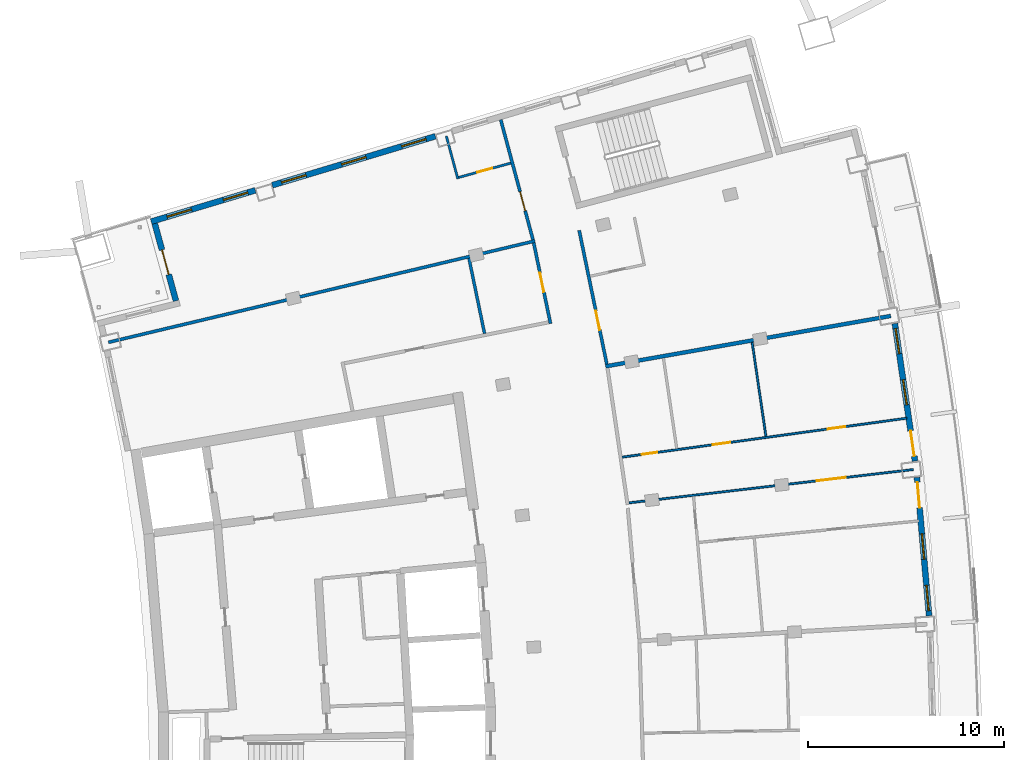
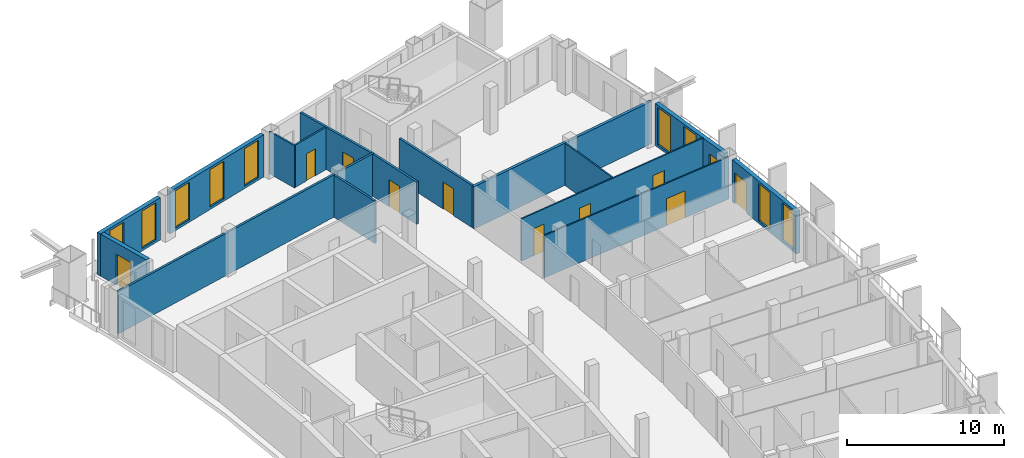
# One storey, part 10 of 15: 16 walls, 11 doors, 9 windows, 20 openings.
"""IFC4 building model written with IfcOpenShell, lengths in metres."""

from ifc_helpers import new_model, si_unit, direction, frame, frame_2d, origin, place, context, subcontext, project, spatial, rectangle, extrude, material, layer, layer_set, type_object, element, fill, save


model = new_model("IFC4")

# Units and contexts
model_context = context("Model", 3, precision=1e-05, world=origin(), true_north=direction((0.0, 1.0)))
body_context = subcontext(model_context, "Body", "Model", "MODEL_VIEW")
ifc_project = project(units=[si_unit("LENGTHUNIT", "METRE"), si_unit("AREAUNIT", "SQUARE_METRE"), si_unit("VOLUMEUNIT", "CUBIC_METRE"), si_unit("PLANEANGLEUNIT", "RADIAN"), si_unit("MASSUNIT", "GRAM", prefix="KILO")], contexts=[model_context])

# Site, building, storey
site_placement = place(None, origin())
site = spatial("IfcSite", under=ifc_project, at=site_placement, CompositionType="ELEMENT")
building_placement = place(site_placement, origin())
building = spatial("IfcBuilding", under=site, at=building_placement, Name="Alderwake Tower", CompositionType="ELEMENT")
storey_placement = place(building_placement, frame((0.0, 0.0, 285.199951171875)))
storey = spatial("IfcBuildingStorey", under=building, at=storey_placement, Name="L71", CompositionType="ELEMENT", Elevation=285.199951171875)

# Wall
ifc_material_1 = material(Name="Gypsum board on metal studs, rated")
ifc_layer_1 = layer(ifc_material_1, 0.159912109375)
ifc_layer_set_1 = layer_set([ifc_layer_1], Name="Corridor wall 160")
wall_type_1 = type_object("IfcWallType", Name="Corridor wall 160", PredefinedType="PARTITIONING", material=ifc_layer_set_1)
wall_1_placement = place(storey_placement, frame((13.884033203125, 83.31298828125, 0.0), z_axis=(0.0, 0.0, 1.0), x_axis=(0.972893462073, 0.231253781493, 0.0)))
element("IfcWall", 1, at=wall_1_placement, inside=storey, type_object=wall_type_1, Name="WL/L71/W09", PredefinedType="PARTITIONING", context=body_context, shape_type="SweptSolid", body=[
    extrude(rectangle(XDim=22.38037109375, YDim=0.159912109375, at=frame_2d((11.190185546875, 0.0))), origin(), (0.0, 0.0, 1.0), 3.280029296875),
])

# Wall, opening, door
wall_2_placement = place(storey_placement, frame((35.55908203125, 88.54736328125, 0.0), z_axis=(0.0, 0.0, 1.0), x_axis=(-0.259486497004, 0.965746735885, 0.0)))
wall_2 = element("IfcWall", 2, at=wall_2_placement, inside=storey, type_object=wall_type_1, Name="WL/L71/W13", PredefinedType="PARTITIONING", context=body_context, shape_type="SweptSolid", body=[
    extrude(rectangle(XDim=6.346923828125, YDim=0.159912109375, at=frame_2d((3.17333984375, 0.0))), origin(), (0.0, 0.0, 1.0), 3.280029296875),
])
opening_1_placement = place(wall_2_placement, frame((1.5380859375, 0.0, 0.0)))
opening_1 = element("IfcOpeningElement", 3, at=opening_1_placement, cuts=wall_2, Name="Opening R20-U09.1", PredefinedType="OPENING", context=body_context, shape_type="SweptSolid", body=[
    extrude(rectangle(XDim=1.0, YDim=2.10009765625, at=frame_2d((0.5, 1.050048828125))), frame((0.0, 0.08984375, 0.0), z_axis=(0.0, -1.0, 0.0), x_axis=(1.0, 0.0, 0.0)), (0.0, 0.0, 1.0), 0.179931640625),
])
ifc_material_2 = material(Name="Solid timber leaf in steel frame", Category="steel")
door_type_1 = type_object("IfcDoorType", Name="Flat entrance door 1000 fire-rated", OperationType="SINGLE_SWING_LEFT", PredefinedType="DOOR", material=ifc_material_2)
door_1_placement = place(opening_1_placement, origin())
door_1 = element("IfcDoor", 4, at=door_1_placement, inside=storey, type_object=door_type_1, Name="DR/L71/U09.1", OperationType="SINGLE_SWING_LEFT", OverallHeight=2.10009765625, OverallWidth=1.0, PredefinedType="DOOR", context=body_context, shape_type="SweptSolid", body=[
    extrude(rectangle(XDim=1.0, YDim=2.10009765625, at=frame_2d((0.5, 1.050048828125))), frame((0.0, 0.02490234375, 0.0), z_axis=(0.0, -1.0, 0.0), x_axis=(1.0, 0.0, 0.0)), (0.0, 0.0, 1.0), 0.050048828125),
])
fill(opening_1, door_1)

wall_3_placement = place(storey_placement, frame((36.451416015625, 84.272705078125, 0.0), z_axis=(0.0, 0.0, 1.0), x_axis=(-0.20329833965, 0.979116839348, 0.0)))
wall_3 = element("IfcWall", 5, at=wall_3_placement, inside=storey, type_object=wall_type_1, Name="WL/L71/W15", PredefinedType="PARTITIONING", context=body_context, shape_type="SweptSolid", body=[
    extrude(rectangle(XDim=4.206787109375, YDim=0.159912109375, at=frame_2d((2.103515625, 0.0))), origin(), (0.0, 0.0, 1.0), 3.280029296875),
])
opening_2_placement = place(wall_3_placement, frame((1.642822265625, 0.0, 0.0)))
opening_2 = element("IfcOpeningElement", 6, at=opening_2_placement, cuts=wall_3, Name="Opening R20-SBN2", PredefinedType="OPENING", context=body_context, shape_type="SweptSolid", body=[
    extrude(rectangle(XDim=1.0, YDim=2.10009765625, at=frame_2d((0.5, 1.050048828125))), frame((0.0, 0.08984375, 0.0), z_axis=(0.0, -1.0, 0.0), x_axis=(1.0, 0.0, 0.0)), (0.0, 0.0, 1.0), 0.179931640625),
])
ifc_material_3 = material(Name="Steel-framed fire door leaf", Category="steel")
door_type_2 = type_object("IfcDoorType", Name="Plant room door 1000 fire-rated", OperationType="SINGLE_SWING_LEFT", PredefinedType="DOOR", material=ifc_material_3)
door_2_placement = place(opening_2_placement, origin())
door_2 = element("IfcDoor", 7, at=door_2_placement, inside=storey, type_object=door_type_2, Name="DR/L71/SBN2", OperationType="SINGLE_SWING_LEFT", OverallHeight=2.10009765625, OverallWidth=1.0, PredefinedType="DOOR", context=body_context, shape_type="SweptSolid", body=[
    extrude(rectangle(XDim=1.0, YDim=2.10009765625, at=frame_2d((0.5, 1.050048828125))), frame((0.0, 0.02490234375, 0.0), z_axis=(0.0, -1.0, 0.0), x_axis=(1.0, 0.0, 0.0)), (0.0, 0.0, 1.0), 0.050048828125),
])
fill(opening_2, door_2)

wall_4_placement = place(storey_placement, frame((37.9169921875, 89.02490234375, 0.0), z_axis=(0.0, 0.0, 1.0), x_axis=(0.202416809878, -0.97929946139, 0.0)))
wall_4 = element("IfcWall", 8, at=wall_4_placement, inside=storey, type_object=wall_type_1, Name="WL/L71/W20", PredefinedType="PARTITIONING", context=body_context, shape_type="SweptSolid", body=[
    extrude(rectangle(XDim=6.97021484375, YDim=0.159912109375, at=frame_2d((3.485107421875, 0.0))), origin(), (0.0, 0.0, 1.0), 3.280029296875),
])
opening_3_placement = place(wall_4_placement, frame((4.187255859375, 0.0, 0.0)))
opening_3 = element("IfcOpeningElement", 9, at=opening_3_placement, cuts=wall_4, Name="Opening R20-U07.1", PredefinedType="OPENING", context=body_context, shape_type="SweptSolid", body=[
    extrude(rectangle(XDim=1.0, YDim=2.10009765625, at=frame_2d((0.5, 1.050048828125))), frame((0.0, 0.08984375, 0.0), z_axis=(0.0, -1.0, 0.0), x_axis=(1.0, 0.0, 0.0)), (0.0, 0.0, 1.0), 0.179931640625),
])
door_3_placement = place(opening_3_placement, origin())
door_3 = element("IfcDoor", 10, at=door_3_placement, inside=storey, type_object=door_type_1, Name="DR/L71/U07.1", OperationType="SINGLE_SWING_LEFT", OverallHeight=2.10009765625, OverallWidth=1.0, PredefinedType="DOOR", context=body_context, shape_type="SweptSolid", body=[
    extrude(rectangle(XDim=1.0, YDim=2.10009765625, at=frame_2d((0.5, 1.050048828125))), frame((0.0, 0.02490234375, 0.0), z_axis=(0.0, -1.0, 0.0), x_axis=(1.0, 0.0, 0.0)), (0.0, 0.0, 1.0), 0.050048828125),
])
fill(opening_3, door_3)

# Wall, openings, door, windows
ifc_material_4 = material(Name="Precast concrete C50/60 spandrel panel", Category="concrete")
ifc_layer_2 = layer(ifc_material_4, 0.300048828125)
ifc_layer_set_2 = layer_set([ifc_layer_2], Name="External wall EW1 Precast concrete C50/60 spandrel")
wall_type_2 = type_object("IfcWallType", Name="External wall EW1 Precast concrete C50/60 spandrel", PredefinedType="SOLIDWALL", material=ifc_layer_set_2)
wall_5_placement = place(storey_placement, frame((55.78173828125, 69.351806640625, 0.0), z_axis=(0.0, 0.0, 1.0), x_axis=(-0.087372360108, 0.996175722796, 0.0)))
wall_5 = element("IfcWall", 11, at=wall_5_placement, inside=storey, type_object=wall_type_2, Name="External wall 17", PredefinedType="SOLIDWALL", context=body_context, shape_type="SweptSolid", body=[
    extrude(rectangle(XDim=7.091796875, YDim=0.300048828125, at=frame_2d((3.5458984375, 0.0))), origin(), (0.0, 0.0, 1.0), 3.280029296875),
])
opening_4_placement = place(wall_5_placement, frame((0.255615234375, 0.0, 0.199951171875)))
opening_4 = element("IfcOpeningElement", 12, at=opening_4_placement, cuts=wall_5, Name="Opening W1", PredefinedType="OPENING", context=body_context, shape_type="SweptSolid", body=[
    extrude(rectangle(XDim=1.300048828125, YDim=2.89990234375, at=frame_2d((0.64990234375, 1.449951171875))), frame((0.0, 0.159912109375, 0.0), z_axis=(0.0, -1.0, 0.0), x_axis=(1.0, 0.0, 0.0)), (0.0, 0.0, 1.0), 0.320068359375),
])
opening_5_placement = place(wall_5_placement, frame((2.895751953125, 0.0, 0.199951171875)))
opening_5 = element("IfcOpeningElement", 13, at=opening_5_placement, cuts=wall_5, Name="Opening W1", PredefinedType="OPENING", context=body_context, shape_type="SweptSolid", body=[
    extrude(rectangle(XDim=1.300048828125, YDim=2.89990234375, at=frame_2d((0.64990234375, 1.449951171875))), frame((0.0, 0.159912109375, 0.0), z_axis=(0.0, -1.0, 0.0), x_axis=(1.0, 0.0, 0.0)), (0.0, 0.0, 1.0), 0.320068359375),
])
opening_6_placement = place(wall_5_placement, frame((5.535888671875, 0.0, 0.0)))
opening_6 = element("IfcOpeningElement", 14, at=opening_6_placement, cuts=wall_5, Name="Opening D06", PredefinedType="OPENING", context=body_context, shape_type="SweptSolid", body=[
    extrude(rectangle(XDim=1.300048828125, YDim=2.39990234375, at=frame_2d((0.64990234375, 1.199951171875))), frame((0.0, 0.159912109375, 0.0), z_axis=(0.0, -1.0, 0.0), x_axis=(1.0, 0.0, 0.0)), (0.0, 0.0, 1.0), 0.320068359375),
])
ifc_material_5 = material(Name="Bronze tinted glass in aluminium frame", Category="aluminium")
door_type_3 = type_object("IfcDoorType", Name="Balcony door BD sliding", OperationType="SLIDING_TO_LEFT", PredefinedType="DOOR", material=ifc_material_5)
door_4_placement = place(opening_6_placement, origin())
door_4 = element("IfcDoor", 15, at=door_4_placement, inside=storey, type_object=door_type_3, Name="Door D06", OperationType="SLIDING_TO_LEFT", OverallHeight=2.39990234375, OverallWidth=1.300048828125, PredefinedType="DOOR", context=body_context, shape_type="SweptSolid", body=[
    extrude(rectangle(XDim=1.300048828125, YDim=2.39990234375, at=frame_2d((0.64990234375, 1.199951171875))), frame((0.0, 0.02490234375, 0.0), z_axis=(0.0, -1.0, 0.0), x_axis=(1.0, 0.0, 0.0)), (0.0, 0.0, 1.0), 0.050048828125),
])
fill(opening_6, door_4)
ifc_material_6 = material(Name="Bronze tinted glass in aluminium frame", Category="aluminium")
window_type = type_object("IfcWindowType", Name="Window W1 tall fixed and vent", PartitioningType="DOUBLE_PANEL_VERTICAL", PredefinedType="WINDOW", material=ifc_material_6)
window_1_placement = place(opening_4_placement, origin())
window_1 = element("IfcWindow", 16, at=window_1_placement, inside=storey, type_object=window_type, Name="Window W1 tall fixed and vent", OverallHeight=2.89990234375, OverallWidth=1.300048828125, PartitioningType="DOUBLE_PANEL_VERTICAL", PredefinedType="WINDOW", context=body_context, shape_type="SweptSolid", body=[
    extrude(rectangle(XDim=1.300048828125, YDim=2.89990234375, at=frame_2d((0.64990234375, 1.449951171875))), frame((0.0, 0.030029296875, 0.0), z_axis=(0.0, -1.0, 0.0), x_axis=(1.0, 0.0, 0.0)), (0.0, 0.0, 1.0), 0.06005859375),
])
fill(opening_4, window_1)
window_2_placement = place(opening_5_placement, origin())
window_2 = element("IfcWindow", 17, at=window_2_placement, inside=storey, type_object=window_type, Name="Window W1 tall fixed and vent", OverallHeight=2.89990234375, OverallWidth=1.300048828125, PartitioningType="DOUBLE_PANEL_VERTICAL", PredefinedType="WINDOW", context=body_context, shape_type="SweptSolid", body=[
    extrude(rectangle(XDim=1.300048828125, YDim=2.89990234375, at=frame_2d((0.64990234375, 1.449951171875))), frame((0.0, 0.030029296875, 0.0), z_axis=(0.0, -1.0, 0.0), x_axis=(1.0, 0.0, 0.0)), (0.0, 0.0, 1.0), 0.06005859375),
])
fill(opening_5, window_2)

wall_6_placement = place(storey_placement, frame((55.063720703125, 77.253662109375, 0.0), z_axis=(0.0, 0.0, 1.0), x_axis=(-0.145309647342, 0.989386227107, 0.0)))
wall_6 = element("IfcWall", 18, at=wall_6_placement, inside=storey, type_object=wall_type_2, Name="External wall 18", PredefinedType="SOLIDWALL", context=body_context, shape_type="SweptSolid", body=[
    extrude(rectangle(XDim=7.091796875, YDim=0.300048828125, at=frame_2d((3.5458984375, 0.0))), origin(), (0.0, 0.0, 1.0), 3.280029296875),
])
opening_7_placement = place(wall_6_placement, frame((0.255615234375, 0.0, 0.0)))
opening_7 = element("IfcOpeningElement", 19, at=opening_7_placement, cuts=wall_6, Name="Opening D07", PredefinedType="OPENING", context=body_context, shape_type="SweptSolid", body=[
    extrude(rectangle(XDim=1.300048828125, YDim=2.39990234375, at=frame_2d((0.64990234375, 1.199951171875))), frame((0.0, 0.159912109375, 0.0), z_axis=(0.0, -1.0, 0.0), x_axis=(1.0, 0.0, 0.0)), (0.0, 0.0, 1.0), 0.320068359375),
])
opening_8_placement = place(wall_6_placement, frame((2.89599609375, 0.0, 0.199951171875)))
opening_8 = element("IfcOpeningElement", 20, at=opening_8_placement, cuts=wall_6, Name="Opening W1", PredefinedType="OPENING", context=body_context, shape_type="SweptSolid", body=[
    extrude(rectangle(XDim=1.300048828125, YDim=2.89990234375, at=frame_2d((0.64990234375, 1.449951171875))), frame((0.0, 0.159912109375, 0.0), z_axis=(0.0, -1.0, 0.0), x_axis=(1.0, 0.0, 0.0)), (0.0, 0.0, 1.0), 0.320068359375),
])
opening_9_placement = place(wall_6_placement, frame((5.5361328125, 0.0, 0.199951171875)))
opening_9 = element("IfcOpeningElement", 21, at=opening_9_placement, cuts=wall_6, Name="Opening W1", PredefinedType="OPENING", context=body_context, shape_type="SweptSolid", body=[
    extrude(rectangle(XDim=1.300048828125, YDim=2.89990234375, at=frame_2d((0.64990234375, 1.449951171875))), frame((0.0, 0.159912109375, 0.0), z_axis=(0.0, -1.0, 0.0), x_axis=(1.0, 0.0, 0.0)), (0.0, 0.0, 1.0), 0.320068359375),
])
door_5_placement = place(opening_7_placement, origin())
door_5 = element("IfcDoor", 22, at=door_5_placement, inside=storey, type_object=door_type_3, Name="Door D07", OperationType="SLIDING_TO_LEFT", OverallHeight=2.39990234375, OverallWidth=1.300048828125, PredefinedType="DOOR", context=body_context, shape_type="SweptSolid", body=[
    extrude(rectangle(XDim=1.300048828125, YDim=2.39990234375, at=frame_2d((0.64990234375, 1.199951171875))), frame((0.0, 0.02490234375, 0.0), z_axis=(0.0, -1.0, 0.0), x_axis=(1.0, 0.0, 0.0)), (0.0, 0.0, 1.0), 0.050048828125),
])
fill(opening_7, door_5)
window_3_placement = place(opening_8_placement, origin())
window_3 = element("IfcWindow", 23, at=window_3_placement, inside=storey, type_object=window_type, Name="Window W1 tall fixed and vent", OverallHeight=2.89990234375, OverallWidth=1.300048828125, PartitioningType="DOUBLE_PANEL_VERTICAL", PredefinedType="WINDOW", context=body_context, shape_type="SweptSolid", body=[
    extrude(rectangle(XDim=1.300048828125, YDim=2.89990234375, at=frame_2d((0.64990234375, 1.449951171875))), frame((0.0, 0.030029296875, 0.0), z_axis=(0.0, -1.0, 0.0), x_axis=(1.0, 0.0, 0.0)), (0.0, 0.0, 1.0), 0.06005859375),
])
fill(opening_8, window_3)
window_4_placement = place(opening_9_placement, origin())
window_4 = element("IfcWindow", 24, at=window_4_placement, inside=storey, type_object=window_type, Name="Window W1 tall fixed and vent", OverallHeight=2.89990234375, OverallWidth=1.300048828125, PartitioningType="DOUBLE_PANEL_VERTICAL", PredefinedType="WINDOW", context=body_context, shape_type="SweptSolid", body=[
    extrude(rectangle(XDim=1.300048828125, YDim=2.89990234375, at=frame_2d((0.64990234375, 1.449951171875))), frame((0.0, 0.030029296875, 0.0), z_axis=(0.0, -1.0, 0.0), x_axis=(1.0, 0.0, 0.0)), (0.0, 0.0, 1.0), 0.06005859375),
])
fill(opening_9, window_4)

# Wall, openings, windows
ifc_material_7 = material(Name="Bronze metal cladding on lightweight framing")
ifc_layer_3 = layer(ifc_material_7, 0.300048828125)
ifc_layer_set_3 = layer_set([ifc_layer_3], Name="External wall EW2 bronze metal cladding")
wall_type_3 = type_object("IfcWallType", Name="External wall EW2 bronze metal cladding", PredefinedType="SOLIDWALL", material=ifc_layer_set_3)
wall_7_placement = place(storey_placement, frame((30.57568359375, 93.83251953125, 0.0), z_axis=(0.0, 0.0, 1.0), x_axis=(-0.957762902908, -0.287559075345, 0.0)))
wall_7 = element("IfcWall", 25, at=wall_7_placement, inside=storey, type_object=wall_type_3, Name="External wall 26", PredefinedType="SOLIDWALL", context=body_context, shape_type="SweptSolid", body=[
    extrude(rectangle(XDim=8.696533203125, YDim=0.300048828125, at=frame_2d((4.34814453125, 0.0))), origin(), (0.0, 0.0, 1.0), 3.280029296875),
])
opening_10_placement = place(wall_7_placement, frame((0.498291015625, 0.0, 0.199951171875)))
opening_10 = element("IfcOpeningElement", 26, at=opening_10_placement, cuts=wall_7, Name="Opening W1", PredefinedType="OPENING", context=body_context, shape_type="SweptSolid", body=[
    extrude(rectangle(XDim=1.300048828125, YDim=2.89990234375, at=frame_2d((0.64990234375, 1.449951171875))), frame((0.0, 0.159912109375, 0.0), z_axis=(0.0, -1.0, 0.0), x_axis=(1.0, 0.0, 0.0)), (0.0, 0.0, 1.0), 0.320068359375),
])
opening_11_placement = place(wall_7_placement, frame((3.6982421875, 0.0, 0.199951171875)))
opening_11 = element("IfcOpeningElement", 27, at=opening_11_placement, cuts=wall_7, Name="Opening W1", PredefinedType="OPENING", context=body_context, shape_type="SweptSolid", body=[
    extrude(rectangle(XDim=1.300048828125, YDim=2.89990234375, at=frame_2d((0.64990234375, 1.449951171875))), frame((0.0, 0.159912109375, 0.0), z_axis=(0.0, -1.0, 0.0), x_axis=(1.0, 0.0, 0.0)), (0.0, 0.0, 1.0), 0.320068359375),
])
opening_12_placement = place(wall_7_placement, frame((6.898193359375, 0.0, 0.199951171875)))
opening_12 = element("IfcOpeningElement", 28, at=opening_12_placement, cuts=wall_7, Name="Opening W1", PredefinedType="OPENING", context=body_context, shape_type="SweptSolid", body=[
    extrude(rectangle(XDim=1.300048828125, YDim=2.89990234375, at=frame_2d((0.64990234375, 1.449951171875))), frame((0.0, 0.159912109375, 0.0), z_axis=(0.0, -1.0, 0.0), x_axis=(1.0, 0.0, 0.0)), (0.0, 0.0, 1.0), 0.320068359375),
])
window_5_placement = place(opening_10_placement, origin())
window_5 = element("IfcWindow", 29, at=window_5_placement, inside=storey, type_object=window_type, Name="Window W1 tall fixed and vent", OverallHeight=2.89990234375, OverallWidth=1.300048828125, PartitioningType="DOUBLE_PANEL_VERTICAL", PredefinedType="WINDOW", context=body_context, shape_type="SweptSolid", body=[
    extrude(rectangle(XDim=1.300048828125, YDim=2.89990234375, at=frame_2d((0.64990234375, 1.449951171875))), frame((0.0, 0.030029296875, 0.0), z_axis=(0.0, -1.0, 0.0), x_axis=(1.0, 0.0, 0.0)), (0.0, 0.0, 1.0), 0.06005859375),
])
fill(opening_10, window_5)
window_6_placement = place(opening_11_placement, origin())
window_6 = element("IfcWindow", 30, at=window_6_placement, inside=storey, type_object=window_type, Name="Window W1 tall fixed and vent", OverallHeight=2.89990234375, OverallWidth=1.300048828125, PartitioningType="DOUBLE_PANEL_VERTICAL", PredefinedType="WINDOW", context=body_context, shape_type="SweptSolid", body=[
    extrude(rectangle(XDim=1.300048828125, YDim=2.89990234375, at=frame_2d((0.64990234375, 1.449951171875))), frame((0.0, 0.030029296875, 0.0), z_axis=(0.0, -1.0, 0.0), x_axis=(1.0, 0.0, 0.0)), (0.0, 0.0, 1.0), 0.06005859375),
])
fill(opening_11, window_6)
window_7_placement = place(opening_12_placement, origin())
window_7 = element("IfcWindow", 31, at=window_7_placement, inside=storey, type_object=window_type, Name="Window W1 tall fixed and vent", OverallHeight=2.89990234375, OverallWidth=1.300048828125, PartitioningType="DOUBLE_PANEL_VERTICAL", PredefinedType="WINDOW", context=body_context, shape_type="SweptSolid", body=[
    extrude(rectangle(XDim=1.300048828125, YDim=2.89990234375, at=frame_2d((0.64990234375, 1.449951171875))), frame((0.0, 0.030029296875, 0.0), z_axis=(0.0, -1.0, 0.0), x_axis=(1.0, 0.0, 0.0)), (0.0, 0.0, 1.0), 0.06005859375),
])
fill(opening_12, window_7)

wall_8_placement = place(storey_placement, frame((21.380859375, 91.072021484375, 0.0), z_axis=(0.0, 0.0, 1.0), x_axis=(-0.957769358194, -0.287537574074, 0.0)))
wall_8 = element("IfcWall", 32, at=wall_8_placement, inside=storey, type_object=wall_type_3, Name="External wall 27", PredefinedType="SOLIDWALL", context=body_context, shape_type="SweptSolid", body=[
    extrude(rectangle(XDim=5.549560546875, YDim=0.300048828125, at=frame_2d((2.77490234375, 0.0))), origin(), (0.0, 0.0, 1.0), 3.280029296875),
])
opening_13_placement = place(wall_8_placement, frame((0.3984375, 0.0, 0.199951171875)))
opening_13 = element("IfcOpeningElement", 33, at=opening_13_placement, cuts=wall_8, Name="Opening W1", PredefinedType="OPENING", context=body_context, shape_type="SweptSolid", body=[
    extrude(rectangle(XDim=1.300048828125, YDim=2.89990234375, at=frame_2d((0.64990234375, 1.449951171875))), frame((0.0, 0.159912109375, 0.0), z_axis=(0.0, -1.0, 0.0), x_axis=(1.0, 0.0, 0.0)), (0.0, 0.0, 1.0), 0.320068359375),
])
opening_14_placement = place(wall_8_placement, frame((3.399169921875, 0.0, 0.199951171875)))
opening_14 = element("IfcOpeningElement", 34, at=opening_14_placement, cuts=wall_8, Name="Opening W1", PredefinedType="OPENING", context=body_context, shape_type="SweptSolid", body=[
    extrude(rectangle(XDim=1.300048828125, YDim=2.89990234375, at=frame_2d((0.64990234375, 1.449951171875))), frame((0.0, 0.159912109375, 0.0), z_axis=(0.0, -1.0, 0.0), x_axis=(1.0, 0.0, 0.0)), (0.0, 0.0, 1.0), 0.320068359375),
])
window_8_placement = place(opening_13_placement, origin())
window_8 = element("IfcWindow", 35, at=window_8_placement, inside=storey, type_object=window_type, Name="Window W1 tall fixed and vent", OverallHeight=2.89990234375, OverallWidth=1.300048828125, PartitioningType="DOUBLE_PANEL_VERTICAL", PredefinedType="WINDOW", context=body_context, shape_type="SweptSolid", body=[
    extrude(rectangle(XDim=1.300048828125, YDim=2.89990234375, at=frame_2d((0.64990234375, 1.449951171875))), frame((0.0, 0.030029296875, 0.0), z_axis=(0.0, -1.0, 0.0), x_axis=(1.0, 0.0, 0.0)), (0.0, 0.0, 1.0), 0.06005859375),
])
fill(opening_13, window_8)
window_9_placement = place(opening_14_placement, origin())
window_9 = element("IfcWindow", 36, at=window_9_placement, inside=storey, type_object=window_type, Name="Window W1 tall fixed and vent", OverallHeight=2.89990234375, OverallWidth=1.300048828125, PartitioningType="DOUBLE_PANEL_VERTICAL", PredefinedType="WINDOW", context=body_context, shape_type="SweptSolid", body=[
    extrude(rectangle(XDim=1.300048828125, YDim=2.89990234375, at=frame_2d((0.64990234375, 1.449951171875))), frame((0.0, 0.030029296875, 0.0), z_axis=(0.0, -1.0, 0.0), x_axis=(1.0, 0.0, 0.0)), (0.0, 0.0, 1.0), 0.06005859375),
])
fill(opening_14, window_9)

# Wall, opening, door
wall_9_placement = place(storey_placement, frame((16.248779296875, 89.374755859375, 0.0), z_axis=(0.0, 0.0, 1.0), x_axis=(0.264607053468, -0.964356317579, 0.0)))
wall_9 = element("IfcWall", 37, at=wall_9_placement, inside=storey, type_object=wall_type_3, Name="External wall 28", PredefinedType="SOLIDWALL", context=body_context, shape_type="SweptSolid", body=[
    extrude(rectangle(XDim=4.090087890625, YDim=0.300048828125, at=frame_2d((2.044921875, 0.0))), origin(), (0.0, 0.0, 1.0), 3.280029296875),
])
opening_15_placement = place(wall_9_placement, frame((1.39501953125, 0.0, 0.0)))
opening_15 = element("IfcOpeningElement", 38, at=opening_15_placement, cuts=wall_9, Name="Opening D09", PredefinedType="OPENING", context=body_context, shape_type="SweptSolid", body=[
    extrude(rectangle(XDim=1.300048828125, YDim=2.39990234375, at=frame_2d((0.64990234375, 1.199951171875))), frame((0.0, 0.159912109375, 0.0), z_axis=(0.0, -1.0, 0.0), x_axis=(1.0, 0.0, 0.0)), (0.0, 0.0, 1.0), 0.320068359375),
])
door_6_placement = place(opening_15_placement, origin())
door_6 = element("IfcDoor", 39, at=door_6_placement, inside=storey, type_object=door_type_3, Name="Door D09", OperationType="SLIDING_TO_LEFT", OverallHeight=2.39990234375, OverallWidth=1.300048828125, PredefinedType="DOOR", context=body_context, shape_type="SweptSolid", body=[
    extrude(rectangle(XDim=1.300048828125, YDim=2.39990234375, at=frame_2d((0.64990234375, 1.199951171875))), frame((0.0, 0.02490234375, 0.0), z_axis=(0.0, -1.0, 0.0), x_axis=(1.0, 0.0, 0.0)), (0.0, 0.0, 1.0), 0.050048828125),
])
fill(opening_15, door_6)

# Walls
ifc_material_8 = material(Name="Dense block masonry wall", Category="masonry")
ifc_layer_4 = layer(ifc_material_8, 0.199951171875)
ifc_layer_set_4 = layer_set([ifc_layer_4], Name="Party wall 200")
wall_type_4 = type_object("IfcWallType", Name="Party wall 200", PredefinedType="SOLIDWALL", material=ifc_layer_set_4)
wall_10_placement = place(storey_placement, frame((39.269287109375, 82.087158203125, 0.0), z_axis=(0.0, 0.0, 1.0), x_axis=(0.984731962834, 0.174077457967, 0.0)))
element("IfcWall", 40, at=wall_10_placement, inside=storey, type_object=wall_type_4, Name="WL/L71/W01", PredefinedType="SOLIDWALL", context=body_context, shape_type="SweptSolid", body=[
    extrude(rectangle(XDim=14.779296875, YDim=0.199951171875, at=frame_2d((7.3896484375, 0.0))), origin(), (0.0, 0.0, 1.0), 3.280029296875),
])
ifc_material_9 = material(Name="Gypsum shaft wall system, rated")
ifc_layer_5 = layer(ifc_material_9, 0.14990234375)
ifc_layer_set_5 = layer_set([ifc_layer_5], Name="Riser and shaft wall 150")
wall_type_5 = type_object("IfcWallType", Name="Riser and shaft wall 150", PredefinedType="PARTITIONING", material=ifc_layer_set_5)
wall_11_placement = place(storey_placement, frame((33.085693359375, 83.76025390625, 0.0), z_axis=(0.0, 0.0, 1.0), x_axis=(-0.2025562632, 0.97927062666, 0.0)))
element("IfcWall", 41, at=wall_11_placement, inside=storey, type_object=wall_type_5, Name="WL/L71/W05", PredefinedType="PARTITIONING", context=body_context, shape_type="SweptSolid", body=[
    extrude(rectangle(XDim=3.9267578125, YDim=0.14990234375, at=frame_2d((1.96337890625, 0.0))), origin(), (0.0, 0.0, 1.0), 3.280029296875),
])

# Wall, openings, doors
ifc_material_10 = material(Name="Gypsum board on metal studs")
ifc_layer_6 = layer(ifc_material_10, 0.10009765625)
ifc_layer_set_6 = layer_set([ifc_layer_6], Name="Unit partition 100")
wall_type_6 = type_object("IfcWallType", Name="Unit partition 100", PredefinedType="PARTITIONING", material=ifc_layer_set_6)
wall_12_placement = place(storey_placement, frame((40.1142578125, 77.449951171875, 0.0), z_axis=(0.0, 0.0, 1.0), x_axis=(0.990744542491, 0.135739646107, 0.0)))
wall_12 = element("IfcWall", 42, at=wall_12_placement, inside=storey, type_object=wall_type_6, Name="WL/L71/W43", PredefinedType="PARTITIONING", context=body_context, shape_type="SweptSolid", body=[
    extrude(rectangle(XDim=14.660400390625, YDim=0.10009765625, at=frame_2d((7.330078125, 0.0))), origin(), (0.0, 0.0, 1.0), 3.280029296875),
])
opening_16_placement = place(wall_12_placement, frame((4.666259765625, 0.0, 0.0)))
opening_16 = element("IfcOpeningElement", 43, at=opening_16_placement, cuts=wall_12, Name="Opening R20-U06.5", PredefinedType="OPENING", context=body_context, shape_type="SweptSolid", body=[
    extrude(rectangle(XDim=0.89990234375, YDim=2.10009765625, at=frame_2d((0.449951171875, 1.050048828125))), frame((0.0, 0.06005859375, 0.0), z_axis=(0.0, -1.0, 0.0), x_axis=(1.0, 0.0, 0.0)), (0.0, 0.0, 1.0), 0.1201171875),
])
opening_17_placement = place(wall_12_placement, frame((1.0087890625, 0.0, 0.0)))
opening_17 = element("IfcOpeningElement", 44, at=opening_17_placement, cuts=wall_12, Name="Opening R20-U06.6", PredefinedType="OPENING", context=body_context, shape_type="SweptSolid", body=[
    extrude(rectangle(XDim=0.800048828125, YDim=2.10009765625, at=frame_2d((0.39990234375, 1.050048828125))), frame((0.0, 0.06005859375, 0.0), z_axis=(0.0, -1.0, 0.0), x_axis=(1.0, 0.0, 0.0)), (0.0, 0.0, 1.0), 0.1201171875),
])
opening_18_placement = place(wall_12_placement, frame((10.587646484375, 0.0, 0.0)))
opening_18 = element("IfcOpeningElement", 45, at=opening_18_placement, cuts=wall_12, Name="Opening R20-U06.7", PredefinedType="OPENING", context=body_context, shape_type="SweptSolid", body=[
    extrude(rectangle(XDim=0.89990234375, YDim=2.10009765625, at=frame_2d((0.449951171875, 1.050048828125))), frame((0.0, 0.06005859375, 0.0), z_axis=(0.0, -1.0, 0.0), x_axis=(1.0, 0.0, 0.0)), (0.0, 0.0, 1.0), 0.1201171875),
])
ifc_material_11 = material(Name="Painted timber leaf", Category="wood")
door_type_4 = type_object("IfcDoorType", Name="Bathroom door 800", OperationType="SINGLE_SWING_LEFT", PredefinedType="DOOR", material=ifc_material_11)
door_7_placement = place(opening_17_placement, origin())
door_7 = element("IfcDoor", 46, at=door_7_placement, inside=storey, type_object=door_type_4, Name="DR/L71/U06.6", OperationType="SINGLE_SWING_LEFT", OverallHeight=2.10009765625, OverallWidth=0.800048828125, PredefinedType="DOOR", context=body_context, shape_type="SweptSolid", body=[
    extrude(rectangle(XDim=0.800048828125, YDim=2.10009765625, at=frame_2d((0.39990234375, 1.050048828125))), frame((0.0, 0.02490234375, 0.0), z_axis=(0.0, -1.0, 0.0), x_axis=(1.0, 0.0, 0.0)), (0.0, 0.0, 1.0), 0.050048828125),
])
fill(opening_17, door_7)
ifc_material_12 = material(Name="Painted timber leaf", Category="wood")
door_type_5 = type_object("IfcDoorType", Name="Room door 900", OperationType="SINGLE_SWING_LEFT", PredefinedType="DOOR", material=ifc_material_12)
door_8_placement = place(opening_16_placement, origin())
door_8 = element("IfcDoor", 47, at=door_8_placement, inside=storey, type_object=door_type_5, Name="DR/L71/U06.5", OperationType="SINGLE_SWING_LEFT", OverallHeight=2.10009765625, OverallWidth=0.89990234375, PredefinedType="DOOR", context=body_context, shape_type="SweptSolid", body=[
    extrude(rectangle(XDim=0.89990234375, YDim=2.10009765625, at=frame_2d((0.449951171875, 1.050048828125))), frame((0.0, 0.02490234375, 0.0), z_axis=(0.0, -1.0, 0.0), x_axis=(1.0, 0.0, 0.0)), (0.0, 0.0, 1.0), 0.050048828125),
])
fill(opening_16, door_8)
door_9_placement = place(opening_18_placement, origin())
door_9 = element("IfcDoor", 48, at=door_9_placement, inside=storey, type_object=door_type_5, Name="DR/L71/U06.7", OperationType="SINGLE_SWING_LEFT", OverallHeight=2.10009765625, OverallWidth=0.89990234375, PredefinedType="DOOR", context=body_context, shape_type="SweptSolid", body=[
    extrude(rectangle(XDim=0.89990234375, YDim=2.10009765625, at=frame_2d((0.449951171875, 1.050048828125))), frame((0.0, 0.02490234375, 0.0), z_axis=(0.0, -1.0, 0.0), x_axis=(1.0, 0.0, 0.0)), (0.0, 0.0, 1.0), 0.050048828125),
])
fill(opening_18, door_9)

# Wall, opening, door
wall_13_placement = place(storey_placement, frame((40.45654296875, 75.1171875, 0.0), z_axis=(0.0, 0.0, 1.0), x_axis=(0.99320714738, 0.116359625274, 0.0)))
wall_13 = element("IfcWall", 49, at=wall_13_placement, inside=storey, type_object=wall_type_6, Name="WL/L71/W44", PredefinedType="PARTITIONING", context=body_context, shape_type="SweptSolid", body=[
    extrude(rectangle(XDim=14.617919921875, YDim=0.10009765625, at=frame_2d((7.30908203125, 0.0))), origin(), (0.0, 0.0, 1.0), 3.280029296875),
])
opening_19_placement = place(wall_13_placement, frame((9.652099609375, 0.0, 0.0)))
opening_19 = element("IfcOpeningElement", 50, at=opening_19_placement, cuts=wall_13, Name="Opening R20-U06.8", PredefinedType="OPENING", context=body_context, shape_type="SweptSolid", body=[
    extrude(rectangle(XDim=1.5, YDim=2.10009765625, at=frame_2d((0.75, 1.050048828125))), frame((0.0, 0.06005859375, 0.0), z_axis=(0.0, -1.0, 0.0), x_axis=(1.0, 0.0, 0.0)), (0.0, 0.0, 1.0), 0.1201171875),
])
ifc_material_13 = material(Name="Painted timber leaves", Category="wood")
door_type_6 = type_object("IfcDoorType", Name="Double leaf door 1500", OperationType="DOUBLE_DOOR_SINGLE_SWING", PredefinedType="DOOR", material=ifc_material_13)
door_10_placement = place(opening_19_placement, origin())
door_10 = element("IfcDoor", 51, at=door_10_placement, inside=storey, type_object=door_type_6, Name="DR/L71/U06.8", OperationType="DOUBLE_DOOR_SINGLE_SWING", OverallHeight=2.10009765625, OverallWidth=1.5, PredefinedType="DOOR", context=body_context, shape_type="SweptSolid", body=[
    extrude(rectangle(XDim=1.5, YDim=2.10009765625, at=frame_2d((0.75, 1.050048828125))), frame((0.0, 0.02490234375, 0.0), z_axis=(0.0, -1.0, 0.0), x_axis=(1.0, 0.0, 0.0)), (0.0, 0.0, 1.0), 0.050048828125),
])
fill(opening_19, door_10)

# Walls
wall_14_placement = place(storey_placement, frame((47.45263671875, 78.505615234375, 0.0), z_axis=(0.0, 0.0, 1.0), x_axis=(-0.145003277996, 0.989431174651, 0.0)))
element("IfcWall", 52, at=wall_14_placement, inside=storey, type_object=wall_type_6, Name="WL/L71/W51", PredefinedType="PARTITIONING", context=body_context, shape_type="SweptSolid", body=[
    extrude(rectangle(XDim=4.855712890625, YDim=0.10009765625, at=frame_2d((2.427734375, 0.0))), origin(), (0.0, 0.0, 1.0), 3.280029296875),
])
ifc_material_14 = material(Name="Moisture resistant gypsum board on metal studs")
ifc_layer_7 = layer(ifc_material_14, 0.1201171875)
ifc_layer_set_7 = layer_set([ifc_layer_7], Name="Wet room partition 120")
wall_type_7 = type_object("IfcWallType", Name="Wet room partition 120", PredefinedType="PARTITIONING", material=ifc_layer_set_7)
wall_15_placement = place(storey_placement, frame((31.134033203125, 93.843017578125, 0.0), z_axis=(0.0, 0.0, 1.0), x_axis=(0.260139854323, -0.965570948296, 0.0)))
element("IfcWall", 53, at=wall_15_placement, inside=storey, type_object=wall_type_7, Name="WL/L71/W28", PredefinedType="PARTITIONING", context=body_context, shape_type="SweptSolid", body=[
    extrude(rectangle(XDim=2.2626953125, YDim=0.1201171875, at=frame_2d((1.13134765625, 0.0))), origin(), (0.0, 0.0, 1.0), 3.280029296875),
])

# Wall, opening, door
wall_16_placement = place(storey_placement, frame((31.764892578125, 91.73193359375, 0.0), z_axis=(0.0, 0.0, 1.0), x_axis=(0.964278304966, 0.264891205163, 0.0)))
wall_16 = element("IfcWall", 54, at=wall_16_placement, inside=storey, type_object=wall_type_7, Name="WL/L71/W30", PredefinedType="PARTITIONING", context=body_context, shape_type="SweptSolid", body=[
    extrude(rectangle(XDim=2.759521484375, YDim=0.1201171875, at=frame_2d((1.3798828125, 0.0))), origin(), (0.0, 0.0, 1.0), 3.280029296875),
])
opening_20_placement = place(wall_16_placement, frame((0.979736328125, 0.0, 0.0)))
opening_20 = element("IfcOpeningElement", 55, at=opening_20_placement, cuts=wall_16, Name="Opening R20-U09.2", PredefinedType="OPENING", context=body_context, shape_type="SweptSolid", body=[
    extrude(rectangle(XDim=0.800048828125, YDim=2.10009765625, at=frame_2d((0.39990234375, 1.050048828125))), frame((0.0, 0.070068359375, 0.0), z_axis=(0.0, -1.0, 0.0), x_axis=(1.0, 0.0, 0.0)), (0.0, 0.0, 1.0), 0.14013671875),
])
door_11_placement = place(opening_20_placement, origin())
door_11 = element("IfcDoor", 56, at=door_11_placement, inside=storey, type_object=door_type_4, Name="DR/L71/U09.2", OperationType="SINGLE_SWING_LEFT", OverallHeight=2.10009765625, OverallWidth=0.800048828125, PredefinedType="DOOR", context=body_context, shape_type="SweptSolid", body=[
    extrude(rectangle(XDim=0.800048828125, YDim=2.10009765625, at=frame_2d((0.39990234375, 1.050048828125))), frame((0.0, 0.02490234375, 0.0), z_axis=(0.0, -1.0, 0.0), x_axis=(1.0, 0.0, 0.0)), (0.0, 0.0, 1.0), 0.050048828125),
])
fill(opening_20, door_11)

save(model, "model.ifc")
